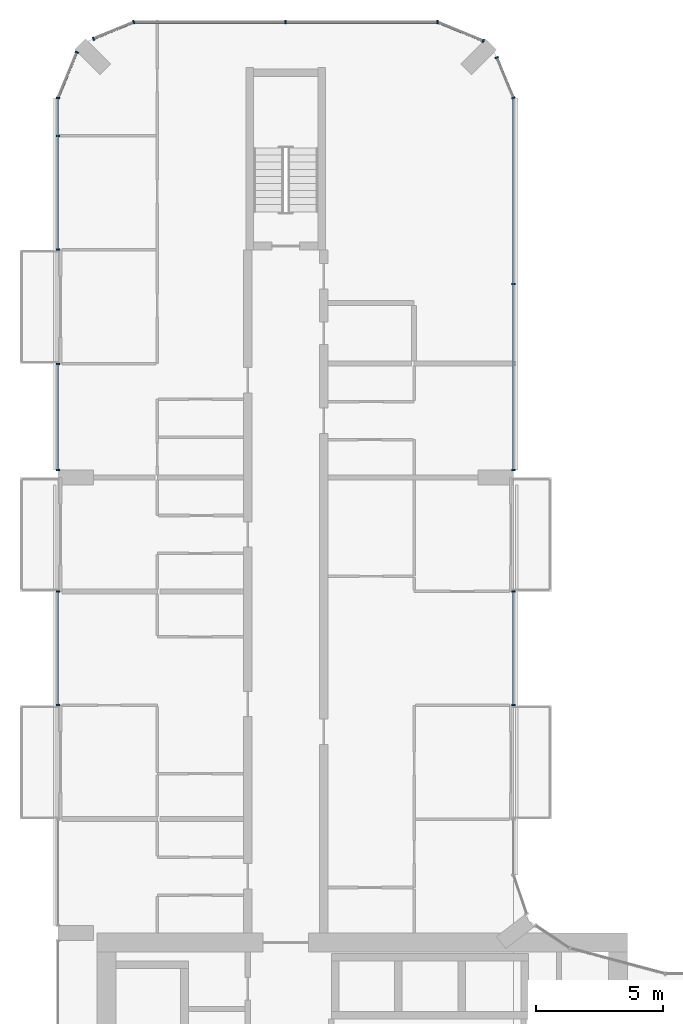
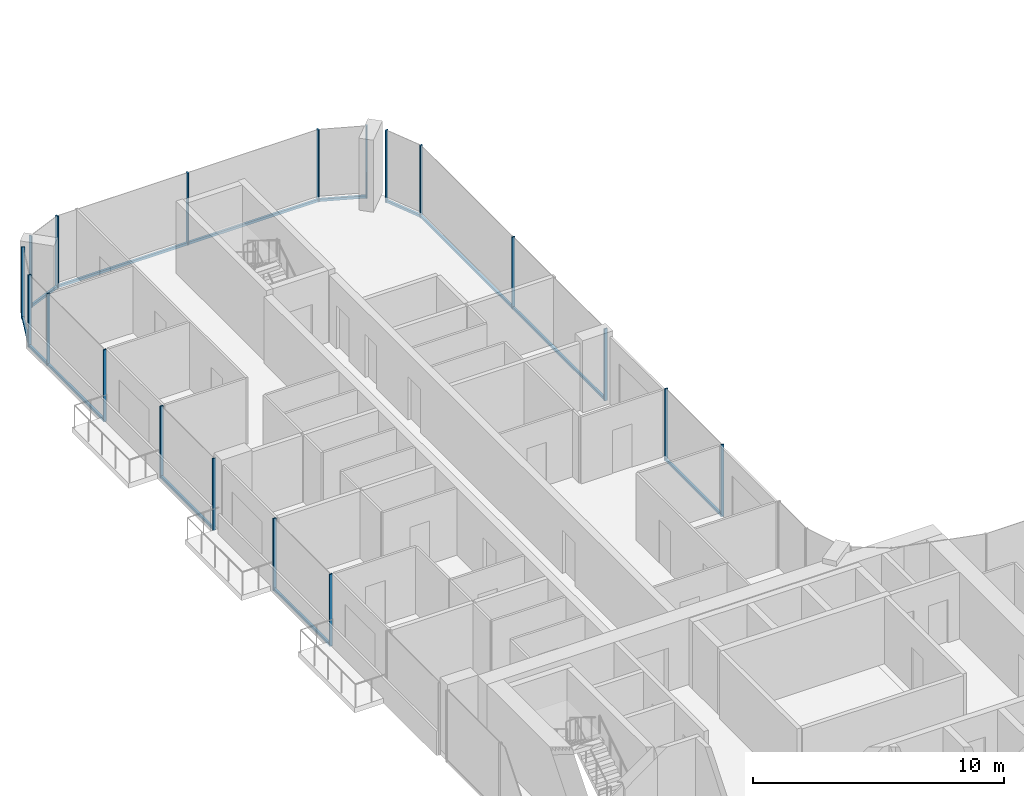
# One storey, part 6 of 23: 29 members, 10 elements without a shape of their own.
"""IFC4 building model written with IfcOpenShell, lengths in metres."""

from ifc_helpers import new_model, si_unit, direction, frame, origin, origin_2d, place, context, subcontext, project, spatial, rectangle, extrude, material, layer, layer_set, material_profile, profile_set, type_object, element, aggregate, save


model = new_model("IFC4")

# Units and contexts
model_context = context("Model", 3, precision=1e-05, world=origin(), true_north=direction((0.0, 1.0)))
body_context = subcontext(model_context, "Body", "Model", "MODEL_VIEW")
ifc_project = project(units=[si_unit("LENGTHUNIT", "METRE"), si_unit("AREAUNIT", "SQUARE_METRE"), si_unit("VOLUMEUNIT", "CUBIC_METRE"), si_unit("PLANEANGLEUNIT", "RADIAN"), si_unit("MASSUNIT", "GRAM", prefix="KILO")], contexts=[model_context])

# Site, building, storey
site_placement = place(None, origin())
site = spatial("IfcSite", under=ifc_project, at=site_placement, CompositionType="ELEMENT")
building_placement = place(site_placement, origin())
building = spatial("IfcBuilding", under=site, at=building_placement, Name="Plateau Cross Towers", CompositionType="ELEMENT")
storey_placement = place(building_placement, frame((0.0, 0.0, 37.300048828125)))
storey = spatial("IfcBuildingStorey", under=building, at=storey_placement, Name="L08", CompositionType="ELEMENT", Elevation=37.300048828125)

# Curtain wall, members
ifc_material_1 = material(Name="Dark low-iron glass", Category="glass")
ifc_layer = layer(ifc_material_1, 0.239990234375)
ifc_layer_set = layer_set([ifc_layer], Name="Dark low-iron glass")
curtain_wall_type = type_object("IfcCurtainWallType", Name="Curtain wall flush unitised CW-B", PredefinedType="NOTDEFINED", material=ifc_layer_set)
curtain_wall_1_placement = place(storey_placement, origin())
curtain_wall_1 = element("IfcCurtainWall", 1, at=curtain_wall_1_placement, inside=storey, type_object=curtain_wall_type, Name="ENV/A/L08/A180_270", PredefinedType="NOTDEFINED")
ifc_material_2 = material(Name="Black anodised aluminium", Category="aluminium")
ifc_material_profile_1 = material_profile(ifc_material_2, rectangle(XDim=0.06005859375, YDim=0.139892578125, at=origin_2d()), Name="MULLION 60x140")
ifc_profile_set_1 = profile_set([ifc_material_profile_1], Name="Black anodised aluminium")
member_type_1 = type_object("IfcMemberType", Name="Mullion 60x140 flush unitised", PredefinedType="MULLION", material=ifc_profile_set_1)
member_1_placement = place(storey_placement, frame((18.0, 27.010009765625, -0.25), z_axis=(0.0, 0.0, 1.0), x_axis=(0.0, 1.0, 0.0)))
member_1 = element("IfcMember", 2, at=member_1_placement, type_object=member_type_1, Name="CW-B mullion 1", PredefinedType="MULLION", context=body_context, shape_type="SweptSolid", body=[
    extrude(rectangle(XDim=0.06005859375, YDim=0.139892578125, at=origin_2d()), origin(), (0.0, 0.0, 1.0), 3.5),
])
member_2_placement = place(storey_placement, frame((18.0, 31.489990234375, -0.25), z_axis=(0.0, 0.0, 1.0), x_axis=(0.0, 1.0, 0.0)))
member_2 = element("IfcMember", 3, at=member_2_placement, type_object=member_type_1, Name="CW-B mullion 2", PredefinedType="MULLION", context=body_context, shape_type="SweptSolid", body=[
    extrude(rectangle(XDim=0.06005859375, YDim=0.139892578125, at=origin_2d()), origin(), (0.0, 0.0, 1.0), 3.5),
])

curtain_wall_2_placement = place(storey_placement, origin())
curtain_wall_2 = element("IfcCurtainWall", 4, at=curtain_wall_2_placement, inside=storey, type_object=curtain_wall_type, Name="ENV/A/L08/A180_363", PredefinedType="NOTDEFINED")
member_3_placement = place(storey_placement, frame((18.0, 36.300048828125, -0.25), z_axis=(0.0, 0.0, 1.0), x_axis=(0.0, 1.0, 0.0)))
member_3 = element("IfcMember", 5, at=member_3_placement, type_object=member_type_1, Name="CW-B mullion 1", PredefinedType="MULLION", context=body_context, shape_type="SweptSolid", body=[
    extrude(rectangle(XDim=0.06005859375, YDim=0.139892578125, at=origin_2d()), origin(), (0.0, 0.0, 1.0), 3.5),
])
member_4_placement = place(storey_placement, frame((18.0, 43.64990234375, -0.25), z_axis=(0.0, 0.0, 1.0), x_axis=(0.0, 1.0, 0.0)))
member_4 = element("IfcMember", 6, at=member_4_placement, type_object=member_type_1, Name="CW-B mullion 2", PredefinedType="MULLION", context=body_context, shape_type="SweptSolid", body=[
    extrude(rectangle(XDim=0.06005859375, YDim=0.139892578125, at=origin_2d()), origin(), (0.0, 0.0, 1.0), 3.5),
])

curtain_wall_3_placement = place(storey_placement, origin())
curtain_wall_3 = element("IfcCurtainWall", 7, at=curtain_wall_3_placement, inside=storey, type_object=curtain_wall_type, Name="ENV/A/L08/A180_510", PredefinedType="NOTDEFINED")
member_5_placement = place(storey_placement, frame((18.0, 51.0, -0.25), z_axis=(0.0, 0.0, 1.0), x_axis=(-0.382683612978, 0.923879457699, 0.0)))
member_5 = element("IfcMember", 8, at=member_5_placement, type_object=member_type_1, Name="CW-B mullion 1", PredefinedType="MULLION", context=body_context, shape_type="SweptSolid", body=[
    extrude(rectangle(XDim=0.06005859375, YDim=0.139892578125, at=origin_2d()), origin(), (0.0, 0.0, 1.0), 3.5),
])
member_6_placement = place(storey_placement, frame((17.338623046875, 52.5966796875, -0.25), z_axis=(0.0, 0.0, 1.0), x_axis=(-0.382683612978, 0.923879457699, 0.0)))
member_6 = element("IfcMember", 9, at=member_6_placement, type_object=member_type_1, Name="CW-B mullion 2", PredefinedType="MULLION", context=body_context, shape_type="SweptSolid", body=[
    extrude(rectangle(XDim=0.06005859375, YDim=0.139892578125, at=origin_2d()), origin(), (0.0, 0.0, 1.0), 3.5),
])

# Curtain wall, member
curtain_wall_4_placement = place(storey_placement, origin())
curtain_wall_4 = element("IfcCurtainWall", 10, at=curtain_wall_4_placement, inside=storey, type_object=curtain_wall_type, Name="ENV/A/L08/A168_533", PredefinedType="NOTDEFINED")
member_7_placement = place(storey_placement, frame((16.805908203125, 53.251953125, -0.25), z_axis=(0.0, 0.0, 1.0), x_axis=(-0.923879457699, 0.382683612978, 0.0)))
member_7 = element("IfcMember", 11, at=member_7_placement, type_object=member_type_1, Name="CW-B mullion 1", PredefinedType="MULLION", context=body_context, shape_type="SweptSolid", body=[
    extrude(rectangle(XDim=0.06005859375, YDim=0.139892578125, at=origin_2d()), origin(), (0.0, 0.0, 1.0), 3.5),
])

# Curtain wall, members
curtain_wall_5_placement = place(storey_placement, origin())
curtain_wall_5 = element("IfcCurtainWall", 12, at=curtain_wall_5_placement, inside=storey, type_object=curtain_wall_type, Name="ENV/A/L08/A150_540", PredefinedType="NOTDEFINED")
member_8_placement = place(storey_placement, frame((15.0, 54.0, -0.25), z_axis=(0.0, 0.0, 1.0), x_axis=(-1.0, 0.0, 0.0)))
member_8 = element("IfcMember", 13, at=member_8_placement, type_object=member_type_1, Name="CW-B mullion 1", PredefinedType="MULLION", context=body_context, shape_type="SweptSolid", body=[
    extrude(rectangle(XDim=0.06005859375, YDim=0.139892578125, at=origin_2d()), origin(), (0.0, 0.0, 1.0), 3.5),
])
member_9_placement = place(storey_placement, frame((9.0, 54.0, -0.25), z_axis=(0.0, 0.0, 1.0), x_axis=(-1.0, 0.0, 0.0)))
member_9 = element("IfcMember", 14, at=member_9_placement, type_object=member_type_1, Name="CW-B mullion 2", PredefinedType="MULLION", context=body_context, shape_type="SweptSolid", body=[
    extrude(rectangle(XDim=0.06005859375, YDim=0.139892578125, at=origin_2d()), origin(), (0.0, 0.0, 1.0), 3.5),
])

curtain_wall_6_placement = place(storey_placement, origin())
curtain_wall_6 = element("IfcCurtainWall", 15, at=curtain_wall_6_placement, inside=storey, type_object=curtain_wall_type, Name="ENV/A/L08/A30_540", PredefinedType="NOTDEFINED")
member_10_placement = place(storey_placement, frame((3.0, 54.0, -0.25), z_axis=(0.0, 0.0, 1.0), x_axis=(-0.923879457699, -0.382683612978, 0.0)))
member_10 = element("IfcMember", 16, at=member_10_placement, type_object=member_type_1, Name="CW-B mullion 1", PredefinedType="MULLION", context=body_context, shape_type="SweptSolid", body=[
    extrude(rectangle(XDim=0.06005859375, YDim=0.139892578125, at=origin_2d()), origin(), (0.0, 0.0, 1.0), 3.5),
])
member_11_placement = place(storey_placement, frame((1.4033203125, 53.338623046875, -0.25), z_axis=(0.0, 0.0, 1.0), x_axis=(-0.923879457699, -0.382683612978, 0.0)))
member_11 = element("IfcMember", 17, at=member_11_placement, type_object=member_type_1, Name="CW-B mullion 2", PredefinedType="MULLION", context=body_context, shape_type="SweptSolid", body=[
    extrude(rectangle(XDim=0.06005859375, YDim=0.139892578125, at=origin_2d()), origin(), (0.0, 0.0, 1.0), 3.5),
])

# Curtain wall, member
curtain_wall_7_placement = place(storey_placement, origin())
curtain_wall_7 = element("IfcCurtainWall", 18, at=curtain_wall_7_placement, inside=storey, type_object=curtain_wall_type, Name="ENV/A/L08/A7_528", PredefinedType="NOTDEFINED")
member_12_placement = place(storey_placement, frame((0.748046875, 52.805908203125, -0.25), z_axis=(0.0, 0.0, 1.0), x_axis=(-0.382683612978, -0.923879457699, 0.0)))
member_12 = element("IfcMember", 19, at=member_12_placement, type_object=member_type_1, Name="CW-B mullion 1", PredefinedType="MULLION", context=body_context, shape_type="SweptSolid", body=[
    extrude(rectangle(XDim=0.06005859375, YDim=0.139892578125, at=origin_2d()), origin(), (0.0, 0.0, 1.0), 3.5),
])

# Curtain wall, members
curtain_wall_8_placement = place(storey_placement, origin())
curtain_wall_8 = element("IfcCurtainWall", 20, at=curtain_wall_8_placement, inside=storey, type_object=curtain_wall_type, Name="ENV/A/L08/A0_510", PredefinedType="NOTDEFINED")
member_13_placement = place(storey_placement, frame((0.0, 51.0, -0.25), z_axis=(0.0, 0.0, 1.0), x_axis=(0.0, -1.0, 0.0)))
member_13 = element("IfcMember", 21, at=member_13_placement, type_object=member_type_1, Name="CW-B mullion 1", PredefinedType="MULLION", context=body_context, shape_type="SweptSolid", body=[
    extrude(rectangle(XDim=0.06005859375, YDim=0.139892578125, at=origin_2d()), origin(), (0.0, 0.0, 1.0), 3.5),
])
member_14_placement = place(storey_placement, frame((0.0, 49.5, -0.25), z_axis=(0.0, 0.0, 1.0), x_axis=(0.0, -1.0, 0.0)))
member_14 = element("IfcMember", 22, at=member_14_placement, type_object=member_type_1, Name="CW-B mullion 2", PredefinedType="MULLION", context=body_context, shape_type="SweptSolid", body=[
    extrude(rectangle(XDim=0.06005859375, YDim=0.139892578125, at=origin_2d()), origin(), (0.0, 0.0, 1.0), 3.5),
])
member_15_placement = place(storey_placement, frame((0.0, 45.010009765625, -0.25), z_axis=(0.0, 0.0, 1.0), x_axis=(0.0, -1.0, 0.0)))
member_15 = element("IfcMember", 23, at=member_15_placement, type_object=member_type_1, Name="CW-B mullion 3", PredefinedType="MULLION", context=body_context, shape_type="SweptSolid", body=[
    extrude(rectangle(XDim=0.06005859375, YDim=0.139892578125, at=origin_2d()), origin(), (0.0, 0.0, 1.0), 3.5),
])

curtain_wall_9_placement = place(storey_placement, origin())
curtain_wall_9 = element("IfcCurtainWall", 24, at=curtain_wall_9_placement, inside=storey, type_object=curtain_wall_type, Name="ENV/A/L08/A0_405", PredefinedType="NOTDEFINED")
member_16_placement = place(storey_placement, frame((0.0, 40.489990234375, -0.25), z_axis=(0.0, 0.0, 1.0), x_axis=(0.0, -1.0, 0.0)))
member_16 = element("IfcMember", 25, at=member_16_placement, type_object=member_type_1, Name="CW-B mullion 1", PredefinedType="MULLION", context=body_context, shape_type="SweptSolid", body=[
    extrude(rectangle(XDim=0.06005859375, YDim=0.139892578125, at=origin_2d()), origin(), (0.0, 0.0, 1.0), 3.5),
])
member_17_placement = place(storey_placement, frame((0.0, 36.300048828125, -0.25), z_axis=(0.0, 0.0, 1.0), x_axis=(0.0, -1.0, 0.0)))
member_17 = element("IfcMember", 26, at=member_17_placement, type_object=member_type_1, Name="CW-B mullion 2", PredefinedType="MULLION", context=body_context, shape_type="SweptSolid", body=[
    extrude(rectangle(XDim=0.06005859375, YDim=0.139892578125, at=origin_2d()), origin(), (0.0, 0.0, 1.0), 3.5),
])

curtain_wall_10_placement = place(storey_placement, origin())
curtain_wall_10 = element("IfcCurtainWall", 27, at=curtain_wall_10_placement, inside=storey, type_object=curtain_wall_type, Name="ENV/A/L08/A0_315", PredefinedType="NOTDEFINED")
member_18_placement = place(storey_placement, frame((0.0, 31.489990234375, -0.25), z_axis=(0.0, 0.0, 1.0), x_axis=(0.0, -1.0, 0.0)))
member_18 = element("IfcMember", 28, at=member_18_placement, type_object=member_type_1, Name="CW-B mullion 1", PredefinedType="MULLION", context=body_context, shape_type="SweptSolid", body=[
    extrude(rectangle(XDim=0.06005859375, YDim=0.139892578125, at=origin_2d()), origin(), (0.0, 0.0, 1.0), 3.5),
])
member_19_placement = place(storey_placement, frame((0.0, 27.010009765625, -0.25), z_axis=(0.0, 0.0, 1.0), x_axis=(0.0, -1.0, 0.0)))
member_19 = element("IfcMember", 29, at=member_19_placement, type_object=member_type_1, Name="CW-B mullion 2", PredefinedType="MULLION", context=body_context, shape_type="SweptSolid", body=[
    extrude(rectangle(XDim=0.06005859375, YDim=0.139892578125, at=origin_2d()), origin(), (0.0, 0.0, 1.0), 3.5),
])

# Member
ifc_material_profile_2 = material_profile(ifc_material_2, rectangle(XDim=0.10009765625, YDim=0.1201171875, at=origin_2d()), Name="TRANSOM 100x120")
ifc_profile_set_2 = profile_set([ifc_material_profile_2], Name="Black anodised aluminium")
member_type_2 = type_object("IfcMemberType", Name="Transom 100x120 flush unitised", PredefinedType="USERDEFINED", material=ifc_profile_set_2)
member_20_placement = place(storey_placement, frame((18.0, 27.010009765625, -0.18994140625), z_axis=(0.0, 1.0, 0.0), x_axis=(-1.0, 0.0, 0.0)))
member_20 = element("IfcMember", 30, at=member_20_placement, type_object=member_type_2, Name="CW-B transom", ObjectType="TRANSOM", PredefinedType="USERDEFINED", context=body_context, shape_type="SweptSolid", body=[
    extrude(rectangle(XDim=0.10009765625, YDim=0.1201171875, at=origin_2d()), origin(), (0.0, 0.0, 1.0), 4.47998046875),
])

aggregate(curtain_wall_1, [member_1, member_2, member_20])

member_21_placement = place(storey_placement, frame((18.0, 36.300048828125, -0.18994140625), z_axis=(0.0, 1.0, 0.0), x_axis=(-1.0, 0.0, 0.0)))
member_21 = element("IfcMember", 31, at=member_21_placement, type_object=member_type_2, Name="CW-B transom", ObjectType="TRANSOM", PredefinedType="USERDEFINED", context=body_context, shape_type="SweptSolid", body=[
    extrude(rectangle(XDim=0.10009765625, YDim=0.1201171875, at=origin_2d()), origin(), (0.0, 0.0, 1.0), 14.699951171875),
])

aggregate(curtain_wall_2, [member_3, member_4, member_21])

member_22_placement = place(storey_placement, frame((18.0, 51.0, -0.18994140625), z_axis=(-0.382688653628, 0.923877369776, 0.0), x_axis=(-0.923877369776, -0.382688653628, 0.0)))
member_22 = element("IfcMember", 32, at=member_22_placement, type_object=member_type_2, Name="CW-B transom", ObjectType="TRANSOM", PredefinedType="USERDEFINED", context=body_context, shape_type="SweptSolid", body=[
    extrude(rectangle(XDim=0.10009765625, YDim=0.1201171875, at=origin_2d()), origin(), (0.0, 0.0, 1.0), 1.728271484375),
])

aggregate(curtain_wall_3, [member_5, member_6, member_22])

member_23_placement = place(storey_placement, frame((16.805908203125, 53.251953125, -0.18994140625), z_axis=(-0.92387678234, 0.382690071798, 0.0), x_axis=(-0.382690071798, -0.92387678234, 0.0)))
member_23 = element("IfcMember", 33, at=member_23_placement, type_object=member_type_2, Name="CW-B transom", ObjectType="TRANSOM", PredefinedType="USERDEFINED", context=body_context, shape_type="SweptSolid", body=[
    extrude(rectangle(XDim=0.10009765625, YDim=0.1201171875, at=origin_2d()), origin(), (0.0, 0.0, 1.0), 1.95458984375),
])

aggregate(curtain_wall_4, [member_7, member_23])

member_24_placement = place(storey_placement, frame((15.0, 54.0, -0.18994140625), z_axis=(-1.0, 0.0, 0.0), x_axis=(0.0, -1.0, 0.0)))
member_24 = element("IfcMember", 34, at=member_24_placement, type_object=member_type_2, Name="CW-B transom", ObjectType="TRANSOM", PredefinedType="USERDEFINED", context=body_context, shape_type="SweptSolid", body=[
    extrude(rectangle(XDim=0.10009765625, YDim=0.1201171875, at=origin_2d()), origin(), (0.0, 0.0, 1.0), 12.0),
])

aggregate(curtain_wall_5, [member_8, member_9, member_24])

member_25_placement = place(storey_placement, frame((3.0, 54.0, -0.18994140625), z_axis=(-0.923877369776, -0.382688653628, 0.0), x_axis=(0.382688653628, -0.923877369776, 0.0)))
member_25 = element("IfcMember", 35, at=member_25_placement, type_object=member_type_2, Name="CW-B transom", ObjectType="TRANSOM", PredefinedType="USERDEFINED", context=body_context, shape_type="SweptSolid", body=[
    extrude(rectangle(XDim=0.10009765625, YDim=0.1201171875, at=origin_2d()), origin(), (0.0, 0.0, 1.0), 1.728271484375),
])

aggregate(curtain_wall_6, [member_10, member_11, member_25])

member_26_placement = place(storey_placement, frame((0.748046875, 52.805908203125, -0.18994140625), z_axis=(-0.382690071798, -0.92387678234, 0.0), x_axis=(0.92387678234, -0.382690071798, 0.0)))
member_26 = element("IfcMember", 36, at=member_26_placement, type_object=member_type_2, Name="CW-B transom", ObjectType="TRANSOM", PredefinedType="USERDEFINED", context=body_context, shape_type="SweptSolid", body=[
    extrude(rectangle(XDim=0.10009765625, YDim=0.1201171875, at=origin_2d()), origin(), (0.0, 0.0, 1.0), 1.95458984375),
])

aggregate(curtain_wall_7, [member_12, member_26])

member_27_placement = place(storey_placement, frame((0.0, 51.0, -0.18994140625), z_axis=(0.0, -1.0, 0.0), x_axis=(1.0, 0.0, 0.0)))
member_27 = element("IfcMember", 37, at=member_27_placement, type_object=member_type_2, Name="CW-B transom", ObjectType="TRANSOM", PredefinedType="USERDEFINED", context=body_context, shape_type="SweptSolid", body=[
    extrude(rectangle(XDim=0.10009765625, YDim=0.1201171875, at=origin_2d()), origin(), (0.0, 0.0, 1.0), 5.989990234375),
])

aggregate(curtain_wall_8, [member_13, member_14, member_15, member_27])

member_28_placement = place(storey_placement, frame((0.0, 40.489990234375, -0.18994140625), z_axis=(0.0, -1.0, 0.0), x_axis=(1.0, 0.0, 0.0)))
member_28 = element("IfcMember", 38, at=member_28_placement, type_object=member_type_2, Name="CW-B transom", ObjectType="TRANSOM", PredefinedType="USERDEFINED", context=body_context, shape_type="SweptSolid", body=[
    extrude(rectangle(XDim=0.10009765625, YDim=0.1201171875, at=origin_2d()), origin(), (0.0, 0.0, 1.0), 4.18994140625),
])

aggregate(curtain_wall_9, [member_16, member_17, member_28])

member_29_placement = place(storey_placement, frame((0.0, 31.489990234375, -0.18994140625), z_axis=(0.0, -1.0, 0.0), x_axis=(1.0, 0.0, 0.0)))
member_29 = element("IfcMember", 39, at=member_29_placement, type_object=member_type_2, Name="CW-B transom", ObjectType="TRANSOM", PredefinedType="USERDEFINED", context=body_context, shape_type="SweptSolid", body=[
    extrude(rectangle(XDim=0.10009765625, YDim=0.1201171875, at=origin_2d()), origin(), (0.0, 0.0, 1.0), 4.47998046875),
])

aggregate(curtain_wall_10, [member_18, member_19, member_29])

save(model, "model.ifc")
